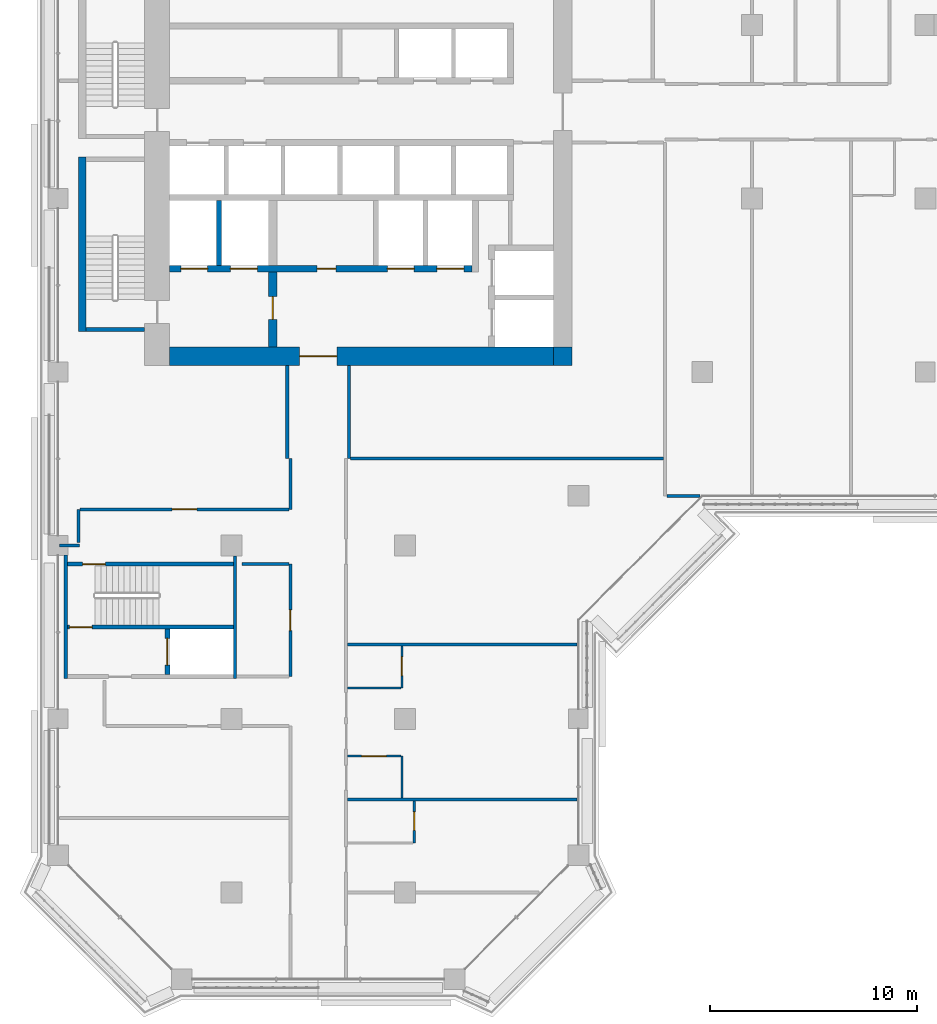
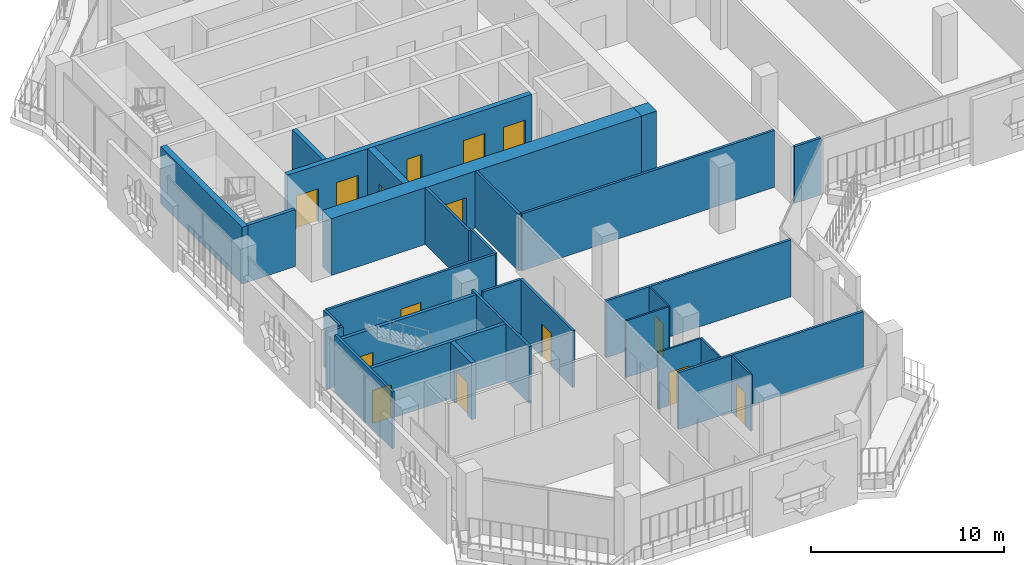
# One storey, part 10 of 22: 29 walls, 15 doors, 15 openings.
"""IFC4 building model written with IfcOpenShell, lengths in metres."""

from ifc_helpers import new_model, si_unit, direction, frame, frame_2d, origin, place, context, subcontext, project, spatial, rectangle, extrude, material, layer, layer_set, type_object, element, fill, save


model = new_model("IFC4")

# Units and contexts
model_context = context("Model", 3, precision=1e-05, world=origin(), true_north=direction((0.0, 1.0)))
body_context = subcontext(model_context, "Body", "Model", "MODEL_VIEW")
ifc_project = project(units=[si_unit("LENGTHUNIT", "METRE"), si_unit("AREAUNIT", "SQUARE_METRE"), si_unit("VOLUMEUNIT", "CUBIC_METRE"), si_unit("PLANEANGLEUNIT", "RADIAN"), si_unit("MASSUNIT", "GRAM", prefix="KILO")], contexts=[model_context])

# Site, building, storey
site_placement = place(None, origin())
site = spatial("IfcSite", under=ifc_project, at=site_placement, CompositionType="ELEMENT")
building_placement = place(site_placement, origin())
building = spatial("IfcBuilding", under=site, at=building_placement, Name="Kawkab Arch Medical Tower", CompositionType="ELEMENT")
storey_placement = place(building_placement, frame((0.0, 0.0, 187.800048828125)))
storey = spatial("IfcBuildingStorey", under=building, at=storey_placement, Name="L43", CompositionType="ELEMENT", Elevation=187.800048828125)

# Wall, opening, door
ifc_material_1 = material(Name="Concrete C55/67", Category="concrete")
ifc_layer_1 = layer(ifc_material_1, 0.89990234375)
ifc_layer_set_1 = layer_set([ifc_layer_1], Name="Concrete C55/67")
wall_type_1 = type_object("IfcWallType", Name="Core ring wall 900 C55/67", PredefinedType="SHEAR", material=ifc_layer_set_1)
wall_1_placement = place(storey_placement, frame((5.39990234375, -24.449951171875, 0.0), z_axis=(0.0, 0.0, 1.0), x_axis=(1.0, 0.0, 0.0)))
wall_1 = element("IfcWall", 1, at=wall_1_placement, inside=storey, type_object=wall_type_1, Name="L43 core wall", PredefinedType="SHEAR", context=body_context, shape_type="SweptSolid", body=[
    extrude(rectangle(XDim=18.60009765625, YDim=0.89990234375, at=frame_2d((9.300048828125, 0.0))), origin(), (0.0, 0.0, 1.0), 3.599853515625),
])
opening_1_placement = place(wall_1_placement, frame((6.300048828125, 0.0, 0.0)))
opening_1 = element("IfcOpeningElement", 2, at=opening_1_placement, cuts=wall_1, Name="Opening PD", PredefinedType="OPENING", context=body_context, shape_type="SweptSolid", body=[
    extrude(rectangle(XDim=1.800048828125, YDim=2.10009765625, at=frame_2d((0.89990234375, 1.050048828125))), frame((0.0, 0.4599609375, 0.0), z_axis=(0.0, -1.0, 0.0), x_axis=(1.0, 0.0, 0.0)), (0.0, 0.0, 1.0), 0.919921875),
])
ifc_material_2 = material(Name="Hollow metal fire door leaf")
door_type_1 = type_object("IfcDoorType", Name="Core entrance doors 1800", OperationType="DOUBLE_DOOR_SINGLE_SWING", PredefinedType="DOOR", material=ifc_material_2)
door_1_placement = place(opening_1_placement, origin())
door_1 = element("IfcDoor", 3, at=door_1_placement, inside=storey, type_object=door_type_1, Name="L43 South entrance doors", OperationType="DOUBLE_DOOR_SINGLE_SWING", OverallHeight=2.10009765625, OverallWidth=1.800048828125, PredefinedType="DOOR", context=body_context, shape_type="SweptSolid", body=[
    extrude(rectangle(XDim=1.800048828125, YDim=2.10009765625, at=frame_2d((0.89990234375, 1.050048828125))), frame((0.0, 0.02490234375, 0.0), z_axis=(0.0, -1.0, 0.0), x_axis=(1.0, 0.0, 0.0)), (0.0, 0.0, 1.0), 0.050048828125),
])
fill(opening_1, door_1)

# Walls
wall_2_placement = place(storey_placement, frame((24.449951171875, -24.89990234375, 0.0), z_axis=(0.0, 0.0, 1.0), x_axis=(0.0, 1.0, 0.0)))
element("IfcWall", 4, at=wall_2_placement, inside=storey, type_object=wall_type_1, Name="L43 core wall", PredefinedType="SHEAR", context=body_context, shape_type="SweptSolid", body=[
    extrude(rectangle(XDim=0.89990234375, YDim=0.89990234375, at=frame_2d((0.449951171875, 0.0))), origin(), (0.0, 0.0, 1.0), 3.599853515625),
])
ifc_material_3 = material(Name="Concrete C60/75", Category="concrete")
ifc_layer_2 = layer(ifc_material_3, 0.25)
ifc_layer_set_2 = layer_set([ifc_layer_2], Name="Concrete C60/75")
wall_type_2 = type_object("IfcWallType", Name="Core shear wall 250 C60/75", PredefinedType="SHEAR", material=ifc_layer_set_2)
wall_3_placement = place(storey_placement, frame((7.800048828125, -20.050048828125, 0.0), z_axis=(0.0, 0.0, 1.0), x_axis=(0.0, 1.0, 0.0)))
element("IfcWall", 5, at=wall_3_placement, inside=storey, type_object=wall_type_2, Name="L43 core shear wall", PredefinedType="SHEAR", context=body_context, shape_type="SweptSolid", body=[
    extrude(rectangle(XDim=3.150146484375, YDim=0.25, at=frame_2d((1.5751953125, 0.0))), origin(), (0.0, 0.0, 1.0), 3.599853515625),
])

# Wall, opening, door
wall_4_placement = place(storey_placement, frame((5.300048828125, -39.85009765625, 0.0), z_axis=(0.0, 0.0, 1.0), x_axis=(0.0, 1.0, 0.0)))
wall_4 = element("IfcWall", 6, at=wall_4_placement, inside=storey, type_object=wall_type_2, Name="L43 core shear wall", PredefinedType="SHEAR", context=body_context, shape_type="SweptSolid", body=[
    extrude(rectangle(XDim=2.2001953125, YDim=0.25, at=frame_2d((1.10009765625, 0.0))), origin(), (0.0, 0.0, 1.0), 3.599853515625),
])
opening_2_placement = place(wall_4_placement, frame((0.449951171875, 0.0, 0.0)))
opening_2 = element("IfcOpeningElement", 7, at=opening_2_placement, cuts=wall_4, Name="Opening LD2", PredefinedType="OPENING", context=body_context, shape_type="SweptSolid", body=[
    extrude(rectangle(XDim=1.300048828125, YDim=2.10009765625, at=frame_2d((0.64990234375, 1.050048828125))), frame((0.0, 0.135009765625, 0.0), z_axis=(0.0, -1.0, 0.0), x_axis=(1.0, 0.0, 0.0)), (0.0, 0.0, 1.0), 0.27001953125),
])
ifc_material_4 = material(Name="Stainless steel lift door leaf", Category="steel")
door_type_2 = type_object("IfcDoorType", Name="Lift landing door 1300", OperationType="DOUBLE_DOOR_SLIDING", PredefinedType="DOOR", material=ifc_material_4)
door_2_placement = place(opening_2_placement, origin())
door_2 = element("IfcDoor", 8, at=door_2_placement, inside=storey, type_object=door_type_2, Name="L43 Lift landing door SV2", OperationType="DOUBLE_DOOR_SLIDING", OverallHeight=2.10009765625, OverallWidth=1.300048828125, PredefinedType="DOOR", context=body_context, shape_type="SweptSolid", body=[
    extrude(rectangle(XDim=1.300048828125, YDim=2.10009765625, at=frame_2d((0.64990234375, 1.050048828125))), frame((0.0, 0.02490234375, 0.0), z_axis=(0.0, -1.0, 0.0), x_axis=(1.0, 0.0, 0.0)), (0.0, 0.0, 1.0), 0.050048828125),
])
fill(opening_2, door_2)

# Wall, openings, doors
ifc_material_5 = material(Name="Concrete C60/75", Category="concrete")
ifc_layer_3 = layer(ifc_material_5, 0.300048828125)
ifc_layer_set_3 = layer_set([ifc_layer_3], Name="Concrete C60/75")
wall_type_3 = type_object("IfcWallType", Name="Core shear wall 300 C60/75", PredefinedType="SHEAR", material=ifc_layer_set_3)
wall_5_placement = place(storey_placement, frame((5.39990234375, -20.199951171875, 0.0), z_axis=(0.0, 0.0, 1.0), x_axis=(1.0, 0.0, 0.0)))
wall_5 = element("IfcWall", 9, at=wall_5_placement, inside=storey, type_object=wall_type_3, Name="L43 core shear wall", PredefinedType="SHEAR", context=body_context, shape_type="SweptSolid", body=[
    extrude(rectangle(XDim=14.650146484375, YDim=0.300048828125, at=frame_2d((7.3251953125, 0.0))), origin(), (0.0, 0.0, 1.0), 3.599853515625),
])
opening_3_placement = place(wall_5_placement, frame((10.550048828125, 0.0, 0.0)))
opening_3 = element("IfcOpeningElement", 10, at=opening_3_placement, cuts=wall_5, Name="Opening LD2", PredefinedType="OPENING", context=body_context, shape_type="SweptSolid", body=[
    extrude(rectangle(XDim=1.300048828125, YDim=2.10009765625, at=frame_2d((0.64990234375, 1.050048828125))), frame((0.0, 0.159912109375, 0.0), z_axis=(0.0, -1.0, 0.0), x_axis=(1.0, 0.0, 0.0)), (0.0, 0.0, 1.0), 0.320068359375),
])
opening_4_placement = place(wall_5_placement, frame((12.949951171875, 0.0, 0.0)))
opening_4 = element("IfcOpeningElement", 11, at=opening_4_placement, cuts=wall_5, Name="Opening LD2", PredefinedType="OPENING", context=body_context, shape_type="SweptSolid", body=[
    extrude(rectangle(XDim=1.300048828125, YDim=2.10009765625, at=frame_2d((0.64990234375, 1.050048828125))), frame((0.0, 0.159912109375, 0.0), z_axis=(0.0, -1.0, 0.0), x_axis=(1.0, 0.0, 0.0)), (0.0, 0.0, 1.0), 0.320068359375),
])
opening_5_placement = place(wall_5_placement, frame((0.550048828125, 0.0, 0.0)))
opening_5 = element("IfcOpeningElement", 12, at=opening_5_placement, cuts=wall_5, Name="Opening LD2", PredefinedType="OPENING", context=body_context, shape_type="SweptSolid", body=[
    extrude(rectangle(XDim=1.300048828125, YDim=2.10009765625, at=frame_2d((0.64990234375, 1.050048828125))), frame((0.0, 0.159912109375, 0.0), z_axis=(0.0, -1.0, 0.0), x_axis=(1.0, 0.0, 0.0)), (0.0, 0.0, 1.0), 0.320068359375),
])
opening_6_placement = place(wall_5_placement, frame((2.949951171875, 0.0, 0.0)))
opening_6 = element("IfcOpeningElement", 13, at=opening_6_placement, cuts=wall_5, Name="Opening LD2", PredefinedType="OPENING", context=body_context, shape_type="SweptSolid", body=[
    extrude(rectangle(XDim=1.300048828125, YDim=2.10009765625, at=frame_2d((0.64990234375, 1.050048828125))), frame((0.0, 0.159912109375, 0.0), z_axis=(0.0, -1.0, 0.0), x_axis=(1.0, 0.0, 0.0)), (0.0, 0.0, 1.0), 0.320068359375),
])
opening_7_placement = place(wall_5_placement, frame((7.14990234375, 0.0, 0.0)))
opening_7 = element("IfcOpeningElement", 14, at=opening_7_placement, cuts=wall_5, Name="Opening RD", PredefinedType="OPENING", context=body_context, shape_type="SweptSolid", body=[
    extrude(rectangle(XDim=0.89990234375, YDim=2.10009765625, at=frame_2d((0.449951171875, 1.050048828125))), frame((0.0, 0.159912109375, 0.0), z_axis=(0.0, -1.0, 0.0), x_axis=(1.0, 0.0, 0.0)), (0.0, 0.0, 1.0), 0.320068359375),
])
ifc_material_6 = material(Name="Hollow metal fire door leaf")
door_type_3 = type_object("IfcDoorType", Name="Core room door 900", OperationType="SINGLE_SWING_LEFT", PredefinedType="DOOR", material=ifc_material_6)
door_3_placement = place(opening_7_placement, origin())
door_3 = element("IfcDoor", 15, at=door_3_placement, inside=storey, type_object=door_type_3, Name="L43 Equipment store door", OperationType="SINGLE_SWING_LEFT", OverallHeight=2.10009765625, OverallWidth=0.89990234375, PredefinedType="DOOR", context=body_context, shape_type="SweptSolid", body=[
    extrude(rectangle(XDim=0.89990234375, YDim=2.10009765625, at=frame_2d((0.449951171875, 1.050048828125))), frame((0.0, 0.02490234375, 0.0), z_axis=(0.0, -1.0, 0.0), x_axis=(1.0, 0.0, 0.0)), (0.0, 0.0, 1.0), 0.050048828125),
])
fill(opening_7, door_3)
door_4_placement = place(opening_3_placement, origin())
door_4 = element("IfcDoor", 16, at=door_4_placement, inside=storey, type_object=door_type_2, Name="L43 Lift landing door BD3", OperationType="DOUBLE_DOOR_SLIDING", OverallHeight=2.10009765625, OverallWidth=1.300048828125, PredefinedType="DOOR", context=body_context, shape_type="SweptSolid", body=[
    extrude(rectangle(XDim=1.300048828125, YDim=2.10009765625, at=frame_2d((0.64990234375, 1.050048828125))), frame((0.0, 0.02490234375, 0.0), z_axis=(0.0, -1.0, 0.0), x_axis=(1.0, 0.0, 0.0)), (0.0, 0.0, 1.0), 0.050048828125),
])
fill(opening_3, door_4)
door_5_placement = place(opening_4_placement, origin())
door_5 = element("IfcDoor", 17, at=door_5_placement, inside=storey, type_object=door_type_2, Name="L43 Lift landing door BD4", OperationType="DOUBLE_DOOR_SLIDING", OverallHeight=2.10009765625, OverallWidth=1.300048828125, PredefinedType="DOOR", context=body_context, shape_type="SweptSolid", body=[
    extrude(rectangle(XDim=1.300048828125, YDim=2.10009765625, at=frame_2d((0.64990234375, 1.050048828125))), frame((0.0, 0.02490234375, 0.0), z_axis=(0.0, -1.0, 0.0), x_axis=(1.0, 0.0, 0.0)), (0.0, 0.0, 1.0), 0.050048828125),
])
fill(opening_4, door_5)
door_6_placement = place(opening_5_placement, origin())
door_6 = element("IfcDoor", 18, at=door_6_placement, inside=storey, type_object=door_type_2, Name="L43 Lift landing door FL1", OperationType="DOUBLE_DOOR_SLIDING", OverallHeight=2.10009765625, OverallWidth=1.300048828125, PredefinedType="DOOR", context=body_context, shape_type="SweptSolid", body=[
    extrude(rectangle(XDim=1.300048828125, YDim=2.10009765625, at=frame_2d((0.64990234375, 1.050048828125))), frame((0.0, 0.02490234375, 0.0), z_axis=(0.0, -1.0, 0.0), x_axis=(1.0, 0.0, 0.0)), (0.0, 0.0, 1.0), 0.050048828125),
])
fill(opening_5, door_6)
door_7_placement = place(opening_6_placement, origin())
door_7 = element("IfcDoor", 19, at=door_7_placement, inside=storey, type_object=door_type_2, Name="L43 Lift landing door FL2", OperationType="DOUBLE_DOOR_SLIDING", OverallHeight=2.10009765625, OverallWidth=1.300048828125, PredefinedType="DOOR", context=body_context, shape_type="SweptSolid", body=[
    extrude(rectangle(XDim=1.300048828125, YDim=2.10009765625, at=frame_2d((0.64990234375, 1.050048828125))), frame((0.0, 0.02490234375, 0.0), z_axis=(0.0, -1.0, 0.0), x_axis=(1.0, 0.0, 0.0)), (0.0, 0.0, 1.0), 0.050048828125),
])
fill(opening_6, door_7)

# Wall, opening, door
ifc_material_7 = material(Name="Concrete C60/75", Category="concrete")
ifc_layer_4 = layer(ifc_material_7, 0.39990234375)
ifc_layer_set_4 = layer_set([ifc_layer_4], Name="Concrete C60/75")
wall_type_4 = type_object("IfcWallType", Name="Core shear wall 400 C60/75", PredefinedType="SHEAR", material=ifc_layer_set_4)
wall_6_placement = place(storey_placement, frame((10.39990234375, -24.0, 0.0), z_axis=(0.0, 0.0, 1.0), x_axis=(0.0, 1.0, 0.0)))
wall_6 = element("IfcWall", 20, at=wall_6_placement, inside=storey, type_object=wall_type_4, Name="L43 core shear wall", PredefinedType="SHEAR", context=body_context, shape_type="SweptSolid", body=[
    extrude(rectangle(XDim=3.64990234375, YDim=0.39990234375, at=frame_2d((1.824951171875, 0.0))), origin(), (0.0, 0.0, 1.0), 3.599853515625),
])
opening_8_placement = place(wall_6_placement, frame((1.35009765625, 0.0, 0.0)))
opening_8 = element("IfcOpeningElement", 21, at=opening_8_placement, cuts=wall_6, Name="Opening FD", PredefinedType="OPENING", context=body_context, shape_type="SweptSolid", body=[
    extrude(rectangle(XDim=1.10009765625, YDim=2.10009765625, at=frame_2d((0.550048828125, 1.050048828125))), frame((0.0, 0.2099609375, 0.0), z_axis=(0.0, -1.0, 0.0), x_axis=(1.0, 0.0, 0.0)), (0.0, 0.0, 1.0), 0.419921875),
])
ifc_material_8 = material(Name="Hollow metal fire door leaf")
door_type_4 = type_object("IfcDoorType", Name="Firefighting lobby door 1100", OperationType="SINGLE_SWING_LEFT", PredefinedType="DOOR", material=ifc_material_8)
door_8_placement = place(opening_8_placement, origin())
door_8 = element("IfcDoor", 22, at=door_8_placement, inside=storey, type_object=door_type_4, Name="L43 Firefighting lobby door", OperationType="SINGLE_SWING_LEFT", OverallHeight=2.10009765625, OverallWidth=1.10009765625, PredefinedType="DOOR", context=body_context, shape_type="SweptSolid", body=[
    extrude(rectangle(XDim=1.10009765625, YDim=2.10009765625, at=frame_2d((0.550048828125, 1.050048828125))), frame((0.0, 0.02490234375, 0.0), z_axis=(0.0, -1.0, 0.0), x_axis=(1.0, 0.0, 0.0)), (0.0, 0.0, 1.0), 0.050048828125),
])
fill(opening_8, door_8)

ifc_material_9 = material(Name="Gypsum board partition on steel studs", Category="steel")
ifc_layer_5 = layer(ifc_material_9, 0.10009765625)
ifc_layer_set_5 = layer_set([ifc_layer_5], Name="Gypsum board partition on steel studs")
wall_type_5 = type_object("IfcWallType", Name="Partition 100", PredefinedType="PARTITIONING", material=ifc_layer_set_5)
wall_7_placement = place(storey_placement, frame((14.02490234375, -43.800048828125, 0.0), z_axis=(0.0, 0.0, 1.0), x_axis=(1.0, 0.0, 0.0)))
wall_7 = element("IfcWall", 23, at=wall_7_placement, inside=storey, type_object=wall_type_5, Name="Partition 100 w002", PredefinedType="PARTITIONING", context=body_context, shape_type="SweptSolid", body=[
    extrude(rectangle(XDim=2.5751953125, YDim=0.10009765625, at=frame_2d((1.28759765625, 0.0))), origin(), (0.0, 0.0, 1.0), 3.599853515625),
])
opening_9_placement = place(wall_7_placement, frame((0.675048828125, 0.0, 0.0)))
opening_9 = element("IfcOpeningElement", 24, at=opening_9_placement, cuts=wall_7, Name="Opening W43-045", PredefinedType="OPENING", context=body_context, shape_type="SweptSolid", body=[
    extrude(rectangle(XDim=1.199951171875, YDim=2.10009765625, at=frame_2d((0.60009765625, 1.050048828125))), frame((0.0, 0.06005859375, 0.0), z_axis=(0.0, -1.0, 0.0), x_axis=(1.0, 0.0, 0.0)), (0.0, 0.0, 1.0), 0.1201171875),
])
ifc_material_10 = material(Name="Timber door leaf", Category="wood")
door_type_5 = type_object("IfcDoorType", Name="Single door 1200x2100", OperationType="NOTDEFINED", PredefinedType="DOOR", material=ifc_material_10)
door_9_placement = place(opening_9_placement, origin())
door_9 = element("IfcDoor", 25, at=door_9_placement, inside=storey, type_object=door_type_5, Name="Door W43-045", OperationType="SINGLE_SWING_LEFT", OverallHeight=2.10009765625, OverallWidth=1.199951171875, PredefinedType="DOOR", context=body_context, shape_type="SweptSolid", body=[
    extrude(rectangle(XDim=1.199951171875, YDim=2.10009765625, at=frame_2d((0.60009765625, 1.050048828125))), frame((0.0, 0.02490234375, 0.0), z_axis=(0.0, -1.0, 0.0), x_axis=(1.0, 0.0, 0.0)), (0.0, 0.0, 1.0), 0.050048828125),
])
fill(opening_9, door_9)

# Walls
wall_8_placement = place(storey_placement, frame((14.02490234375, -40.5, 0.0), z_axis=(0.0, 0.0, 1.0), x_axis=(1.0, 0.0, 0.0)))
element("IfcWall", 26, at=wall_8_placement, inside=storey, type_object=wall_type_5, Name="Partition 100 w003", PredefinedType="PARTITIONING", context=body_context, shape_type="SweptSolid", body=[
    extrude(rectangle(XDim=2.5751953125, YDim=0.10009765625, at=frame_2d((1.28759765625, 0.0))), origin(), (0.0, 0.0, 1.0), 3.599853515625),
])
wall_9_placement = place(storey_placement, frame((16.64990234375, -45.824951171875, 0.0), z_axis=(0.0, 0.0, 1.0), x_axis=(0.0, 1.0, 0.0)))
element("IfcWall", 27, at=wall_9_placement, inside=storey, type_object=wall_type_5, Name="Partition 100 w010", PredefinedType="PARTITIONING", context=body_context, shape_type="SweptSolid", body=[
    extrude(rectangle(XDim=2.02490234375, YDim=0.10009765625, at=frame_2d((1.012451171875, 0.0))), origin(), (0.0, 0.0, 1.0), 3.599853515625),
])

# Wall, opening, door
wall_10_placement = place(storey_placement, frame((16.64990234375, -40.5, 0.0), z_axis=(0.0, 0.0, 1.0), x_axis=(0.0, 1.0, 0.0)))
wall_10 = element("IfcWall", 28, at=wall_10_placement, inside=storey, type_object=wall_type_5, Name="Partition 100 w011", PredefinedType="PARTITIONING", context=body_context, shape_type="SweptSolid", body=[
    extrude(rectangle(XDim=2.02490234375, YDim=0.10009765625, at=frame_2d((1.012451171875, 0.0))), origin(), (0.0, 0.0, 1.0), 3.599853515625),
])
opening_10_placement = place(wall_10_placement, frame((0.60009765625, 0.0, 0.0)))
opening_10 = element("IfcOpeningElement", 29, at=opening_10_placement, cuts=wall_10, Name="Opening W43-007", PredefinedType="OPENING", context=body_context, shape_type="SweptSolid", body=[
    extrude(rectangle(XDim=0.89990234375, YDim=2.10009765625, at=frame_2d((0.449951171875, 1.050048828125))), frame((0.0, 0.06005859375, 0.0), z_axis=(0.0, -1.0, 0.0), x_axis=(1.0, 0.0, 0.0)), (0.0, 0.0, 1.0), 0.1201171875),
])
ifc_material_11 = material(Name="Timber door leaf", Category="wood")
door_type_6 = type_object("IfcDoorType", Name="Single door 900x2100", OperationType="NOTDEFINED", PredefinedType="DOOR", material=ifc_material_11)
door_10_placement = place(opening_10_placement, origin())
door_10 = element("IfcDoor", 30, at=door_10_placement, inside=storey, type_object=door_type_6, Name="Door W43-007", OperationType="SINGLE_SWING_LEFT", OverallHeight=2.10009765625, OverallWidth=0.89990234375, PredefinedType="DOOR", context=body_context, shape_type="SweptSolid", body=[
    extrude(rectangle(XDim=0.89990234375, YDim=2.10009765625, at=frame_2d((0.449951171875, 1.050048828125))), frame((0.0, 0.02490234375, 0.0), z_axis=(0.0, -1.0, 0.0), x_axis=(1.0, 0.0, 0.0)), (0.0, 0.0, 1.0), 0.050048828125),
])
fill(opening_10, door_10)

wall_11_placement = place(storey_placement, frame((17.25, -48.0, 0.0), z_axis=(0.0, 0.0, 1.0), x_axis=(0.0, 1.0, 0.0)))
wall_11 = element("IfcWall", 31, at=wall_11_placement, inside=storey, type_object=wall_type_5, Name="Partition 100 w012", PredefinedType="PARTITIONING", context=body_context, shape_type="SweptSolid", body=[
    extrude(rectangle(XDim=2.02490234375, YDim=0.10009765625, at=frame_2d((1.012451171875, 0.0))), origin(), (0.0, 0.0, 1.0), 3.599853515625),
])
opening_11_placement = place(wall_11_placement, frame((0.60009765625, 0.0, 0.0)))
opening_11 = element("IfcOpeningElement", 32, at=opening_11_placement, cuts=wall_11, Name="Opening W43-008", PredefinedType="OPENING", context=body_context, shape_type="SweptSolid", body=[
    extrude(rectangle(XDim=0.89990234375, YDim=2.10009765625, at=frame_2d((0.449951171875, 1.050048828125))), frame((0.0, 0.06005859375, 0.0), z_axis=(0.0, -1.0, 0.0), x_axis=(1.0, 0.0, 0.0)), (0.0, 0.0, 1.0), 0.1201171875),
])
door_11_placement = place(opening_11_placement, origin())
door_11 = element("IfcDoor", 33, at=door_11_placement, inside=storey, type_object=door_type_6, Name="Door W43-008", OperationType="SINGLE_SWING_LEFT", OverallHeight=2.10009765625, OverallWidth=0.89990234375, PredefinedType="DOOR", context=body_context, shape_type="SweptSolid", body=[
    extrude(rectangle(XDim=0.89990234375, YDim=2.10009765625, at=frame_2d((0.449951171875, 1.050048828125))), frame((0.0, 0.02490234375, 0.0), z_axis=(0.0, -1.0, 0.0), x_axis=(1.0, 0.0, 0.0)), (0.0, 0.0, 1.0), 0.050048828125),
])
fill(opening_11, door_11)

# Walls
ifc_material_12 = material(Name="Gypsum board partition on steel studs, mineral wool", Category="steel")
ifc_layer_6 = layer(ifc_material_12, 0.14990234375)
ifc_layer_set_6 = layer_set([ifc_layer_6], Name="Gypsum board partition on steel studs, mineral wool")
wall_type_6 = type_object("IfcWallType", Name="Partition 150", PredefinedType="PARTITIONING", material=ifc_layer_set_6)
for number, where, z_axis, x_axis, name in (
    (34, (14.02490234375, -45.89990234375, 0.0), (0.0, 0.0, 1.0), (1.0, 0.0, 0.0), "Partition 150 w023"),
    (35, (14.02490234375, -38.39990234375, 0.0), (0.0, 0.0, 1.0), (1.0, 0.0, 0.0), "Partition 150 w026"),
):
    element("IfcWall", number, at=place(storey_placement, frame(where, z_axis=z_axis, x_axis=x_axis)), inside=storey, type_object=wall_type_6, Name=name, PredefinedType="PARTITIONING", context=body_context, shape_type="SweptSolid", body=[
        extrude(rectangle(XDim=11.09521484375, YDim=0.14990234375, at=frame_2d((5.547607421875, 0.0))), origin(), (0.0, 0.0, 1.0), 3.599853515625),
    ])
wall_12_placement = place(storey_placement, frame((8.89990234375, -34.5, 0.0), z_axis=(0.0, 0.0, 1.0), x_axis=(1.0, 0.0, 0.0)))
element("IfcWall", 36, at=wall_12_placement, inside=storey, type_object=wall_type_6, Name="Partition 150 w027", PredefinedType="PARTITIONING", context=body_context, shape_type="SweptSolid", body=[
    extrude(rectangle(XDim=2.275146484375, YDim=0.14990234375, at=frame_2d((1.1376953125, 0.0))), origin(), (0.0, 0.0, 1.0), 3.599853515625),
])
wall_13_placement = place(storey_placement, frame((0.080078125, -33.60009765625, 0.0), z_axis=(0.0, 0.0, 1.0), x_axis=(1.0, 0.0, 0.0)))
element("IfcWall", 37, at=wall_13_placement, inside=storey, type_object=wall_type_6, Name="Partition 150 w028", PredefinedType="PARTITIONING", context=body_context, shape_type="SweptSolid", body=[
    extrude(rectangle(XDim=0.969970703125, YDim=0.14990234375, at=frame_2d((0.48486328125, 0.0))), origin(), (0.0, 0.0, 1.0), 3.599853515625),
])

# Wall, opening, door
wall_14_placement = place(storey_placement, frame((1.076904296875, -31.85693359375, 0.0), z_axis=(0.0, 0.0, 1.0), x_axis=(1.0, 0.0, 0.0)))
wall_14 = element("IfcWall", 38, at=wall_14_placement, inside=storey, type_object=wall_type_6, Name="Partition 150 w029", PredefinedType="PARTITIONING", context=body_context, shape_type="SweptSolid", body=[
    extrude(rectangle(XDim=10.09814453125, YDim=0.14990234375, at=frame_2d((5.049072265625, 0.0))), origin(), (0.0, 0.0, 1.0), 3.599853515625),
])
opening_12_placement = place(wall_14_placement, frame((4.448974609375, 0.0, 0.0)))
opening_12 = element("IfcOpeningElement", 39, at=opening_12_placement, cuts=wall_14, Name="Opening W43-040", PredefinedType="OPENING", context=body_context, shape_type="SweptSolid", body=[
    extrude(rectangle(XDim=1.199951171875, YDim=2.10009765625, at=frame_2d((0.60009765625, 1.050048828125))), frame((0.0, 0.0849609375, 0.0), z_axis=(0.0, -1.0, 0.0), x_axis=(1.0, 0.0, 0.0)), (0.0, 0.0, 1.0), 0.169921875),
])
ifc_material_13 = material(Name="Hollow metal door leaf")
door_type_7 = type_object("IfcDoorType", Name="Single door 1200x2100 FD30S", OperationType="NOTDEFINED", PredefinedType="DOOR", material=ifc_material_13)
door_12_placement = place(opening_12_placement, origin())
door_12 = element("IfcDoor", 40, at=door_12_placement, inside=storey, type_object=door_type_7, Name="Door W43-040", OperationType="SINGLE_SWING_LEFT", OverallHeight=2.10009765625, OverallWidth=1.199951171875, PredefinedType="DOOR", context=body_context, shape_type="SweptSolid", body=[
    extrude(rectangle(XDim=1.199951171875, YDim=2.10009765625, at=frame_2d((0.60009765625, 1.050048828125))), frame((0.0, 0.02490234375, 0.0), z_axis=(0.0, -1.0, 0.0), x_axis=(1.0, 0.0, 0.0)), (0.0, 0.0, 1.0), 0.050048828125),
])
fill(opening_12, door_12)

# Walls
wall_15_placement = place(storey_placement, frame((29.47705078125, -31.199951171875, 0.0), z_axis=(0.0, 0.0, 1.0), x_axis=(1.0, 0.0, 0.0)))
element("IfcWall", 41, at=wall_15_placement, inside=storey, type_object=wall_type_6, Name="Partition 150 w030", PredefinedType="PARTITIONING", context=body_context, shape_type="SweptSolid", body=[
    extrude(rectangle(XDim=1.60986328125, YDim=0.14990234375, at=frame_2d((0.804931640625, 0.0))), origin(), (0.0, 0.0, 1.0), 3.599853515625),
])
wall_16_placement = place(storey_placement, frame((14.175048828125, -29.39990234375, 0.0), z_axis=(0.0, 0.0, 1.0), x_axis=(1.0, 0.0, 0.0)))
element("IfcWall", 42, at=wall_16_placement, inside=storey, type_object=wall_type_6, Name="Partition 150 w031", PredefinedType="PARTITIONING", context=body_context, shape_type="SweptSolid", body=[
    extrude(rectangle(XDim=15.14990234375, YDim=0.14990234375, at=frame_2d((7.574951171875, 0.0))), origin(), (0.0, 0.0, 1.0), 3.599853515625),
])
wall_17_placement = place(storey_placement, frame((1.0, -33.465087890625, 0.0), z_axis=(0.0, 0.0, 1.0), x_axis=(0.0, 1.0, 0.0)))
element("IfcWall", 43, at=wall_17_placement, inside=storey, type_object=wall_type_6, Name="Partition 150 w043", PredefinedType="PARTITIONING", context=body_context, shape_type="SweptSolid", body=[
    extrude(rectangle(XDim=1.60498046875, YDim=0.14990234375, at=frame_2d((0.802490234375, 0.0))), origin(), (0.0, 0.0, 1.0), 3.599853515625),
])
wall_18_placement = place(storey_placement, frame((11.10009765625, -29.39697265625, 0.0), z_axis=(0.0, 0.0, 1.0), x_axis=(0.0, 1.0, 0.0)))
element("IfcWall", 44, at=wall_18_placement, inside=storey, type_object=wall_type_6, Name="Partition 150 w045", PredefinedType="PARTITIONING", context=body_context, shape_type="SweptSolid", body=[
    extrude(rectangle(XDim=4.4970703125, YDim=0.14990234375, at=frame_2d((2.24853515625, 0.0))), origin(), (0.0, 0.0, 1.0), 3.599853515625),
])

# Wall, opening, door
wall_19_placement = place(storey_placement, frame((11.25, -39.949951171875, 0.0), z_axis=(0.0, 0.0, 1.0), x_axis=(0.0, 1.0, 0.0)))
wall_19 = element("IfcWall", 45, at=wall_19_placement, inside=storey, type_object=wall_type_6, Name="Partition 150 w047", PredefinedType="PARTITIONING", context=body_context, shape_type="SweptSolid", body=[
    extrude(rectangle(XDim=5.449951171875, YDim=0.14990234375, at=frame_2d((2.72509765625, 0.0))), origin(), (0.0, 0.0, 1.0), 3.599853515625),
])
opening_13_placement = place(wall_19_placement, frame((2.22509765625, 0.0, 0.0)))
opening_13 = element("IfcOpeningElement", 46, at=opening_13_placement, cuts=wall_19, Name="Opening W43-018", PredefinedType="OPENING", context=body_context, shape_type="SweptSolid", body=[
    extrude(rectangle(XDim=1.0, YDim=2.10009765625, at=frame_2d((0.5, 1.050048828125))), frame((0.0, 0.0849609375, 0.0), z_axis=(0.0, -1.0, 0.0), x_axis=(1.0, 0.0, 0.0)), (0.0, 0.0, 1.0), 0.169921875),
])
ifc_material_14 = material(Name="Hollow metal door leaf")
door_type_8 = type_object("IfcDoorType", Name="Single door 1000x2100 FD30S", OperationType="NOTDEFINED", PredefinedType="DOOR", material=ifc_material_14)
door_13_placement = place(opening_13_placement, origin())
door_13 = element("IfcDoor", 47, at=door_13_placement, inside=storey, type_object=door_type_8, Name="Door W43-018", OperationType="SINGLE_SWING_RIGHT", OverallHeight=2.10009765625, OverallWidth=1.0, PredefinedType="DOOR", context=body_context, shape_type="SweptSolid", body=[
    extrude(rectangle(XDim=1.0, YDim=2.10009765625, at=frame_2d((0.5, 1.050048828125))), frame((0.0, 0.02490234375, 0.0), z_axis=(0.0, -1.0, 0.0), x_axis=(1.0, 0.0, 0.0)), (0.0, 0.0, 1.0), 0.050048828125),
])
fill(opening_13, door_13)

# Walls
wall_20_placement = place(storey_placement, frame((11.25, -31.85693359375, 0.0), z_axis=(0.0, 0.0, 1.0), x_axis=(0.0, 1.0, 0.0)))
element("IfcWall", 48, at=wall_20_placement, inside=storey, type_object=wall_type_6, Name="Partition 150 w048", PredefinedType="PARTITIONING", context=body_context, shape_type="SweptSolid", body=[
    extrude(rectangle(XDim=2.45703125, YDim=0.14990234375, at=frame_2d((1.228515625, 0.0))), origin(), (0.0, 0.0, 1.0), 3.599853515625),
])
wall_21_placement = place(storey_placement, frame((14.10009765625, -29.39990234375, 0.0), z_axis=(0.0, 0.0, 1.0), x_axis=(0.0, 1.0, 0.0)))
element("IfcWall", 49, at=wall_21_placement, inside=storey, type_object=wall_type_6, Name="Partition 150 w050", PredefinedType="PARTITIONING", context=body_context, shape_type="SweptSolid", body=[
    extrude(rectangle(XDim=4.5, YDim=0.14990234375, at=frame_2d((2.25, 0.0))), origin(), (0.0, 0.0, 1.0), 3.599853515625),
])
ifc_material_15 = material(Name="Concrete C50/60", Category="concrete")
ifc_layer_7 = layer(ifc_material_15, 0.14990234375)
ifc_layer_set_7 = layer_set([ifc_layer_7], Name="Concrete C50/60")
wall_type_7 = type_object("IfcWallType", Name="Stair enclosure wall 150 C50/60", PredefinedType="SHEAR", material=ifc_layer_set_7)
wall_22_placement = place(storey_placement, frame((0.375, -40.050048828125, 0.0), z_axis=(0.0, 0.0, 1.0), x_axis=(0.0, 1.0, 0.0)))
element("IfcWall", 50, at=wall_22_placement, inside=storey, type_object=wall_type_7, Name="L43 stair enclosure wall", PredefinedType="SHEAR", context=body_context, shape_type="SweptSolid", body=[
    extrude(rectangle(XDim=5.97509765625, YDim=0.14990234375, at=frame_2d((2.987548828125, 0.0))), origin(), (0.0, 0.0, 1.0), 3.599853515625),
])
wall_23_placement = place(storey_placement, frame((8.574951171875, -40.050048828125, 0.0), z_axis=(0.0, 0.0, 1.0), x_axis=(0.0, 1.0, 0.0)))
element("IfcWall", 51, at=wall_23_placement, inside=storey, type_object=wall_type_7, Name="L43 stair enclosure wall", PredefinedType="SHEAR", context=body_context, shape_type="SweptSolid", body=[
    extrude(rectangle(XDim=5.949951171875, YDim=0.14990234375, at=frame_2d((2.97509765625, 0.0))), origin(), (0.0, 0.0, 1.0), 3.599853515625),
])
ifc_material_16 = material(Name="Concrete C50/60", Category="concrete")
ifc_layer_8 = layer(ifc_material_16, 0.199951171875)
ifc_layer_set_8 = layer_set([ifc_layer_8], Name="Concrete C50/60")
wall_type_8 = type_object("IfcWallType", Name="Stair enclosure wall 200 C50/60", PredefinedType="SHEAR", material=ifc_layer_set_8)
wall_24_placement = place(storey_placement, frame((1.35009765625, -23.14990234375, 0.0), z_axis=(0.0, 0.0, 1.0), x_axis=(1.0, 0.0, 0.0)))
element("IfcWall", 52, at=wall_24_placement, inside=storey, type_object=wall_type_8, Name="L43 stair enclosure wall", PredefinedType="SHEAR", context=body_context, shape_type="SweptSolid", body=[
    extrude(rectangle(XDim=2.849853515625, YDim=0.199951171875, at=frame_2d((1.4248046875, 0.0))), origin(), (0.0, 0.0, 1.0), 3.599853515625),
])

# Wall, opening, door
wall_25_placement = place(storey_placement, frame((0.449951171875, -34.5, 0.0), z_axis=(0.0, 0.0, 1.0), x_axis=(1.0, 0.0, 0.0)))
wall_25 = element("IfcWall", 53, at=wall_25_placement, inside=storey, type_object=wall_type_8, Name="L43 stair enclosure wall", PredefinedType="SHEAR", context=body_context, shape_type="SweptSolid", body=[
    extrude(rectangle(XDim=8.050048828125, YDim=0.199951171875, at=frame_2d((4.02490234375, 0.0))), origin(), (0.0, 0.0, 1.0), 3.599853515625),
])
opening_14_placement = place(wall_25_placement, frame((0.75, 0.0, 0.0)))
opening_14 = element("IfcOpeningElement", 54, at=opening_14_placement, cuts=wall_25, Name="Opening SD", PredefinedType="OPENING", context=body_context, shape_type="SweptSolid", body=[
    extrude(rectangle(XDim=1.10009765625, YDim=2.10009765625, at=frame_2d((0.550048828125, 1.050048828125))), frame((0.0, 0.10986328125, 0.0), z_axis=(0.0, -1.0, 0.0), x_axis=(1.0, 0.0, 0.0)), (0.0, 0.0, 1.0), 0.219970703125),
])
ifc_material_17 = material(Name="Hollow metal fire door leaf")
door_type_9 = type_object("IfcDoorType", Name="Exit stair door 1100", OperationType="SINGLE_SWING_LEFT", PredefinedType="DOOR", material=ifc_material_17)
door_14_placement = place(opening_14_placement, origin())
door_14 = element("IfcDoor", 55, at=door_14_placement, inside=storey, type_object=door_type_9, Name="L43 Exit stair ST6 door", OperationType="SINGLE_SWING_LEFT", OverallHeight=2.10009765625, OverallWidth=1.10009765625, PredefinedType="DOOR", context=body_context, shape_type="SweptSolid", body=[
    extrude(rectangle(XDim=1.10009765625, YDim=2.10009765625, at=frame_2d((0.550048828125, 1.050048828125))), frame((0.0, 0.02490234375, 0.0), z_axis=(0.0, -1.0, 0.0), x_axis=(1.0, 0.0, 0.0)), (0.0, 0.0, 1.0), 0.050048828125),
])
fill(opening_14, door_14)

wall_26_placement = place(storey_placement, frame((0.449951171875, -37.550048828125, 0.0), z_axis=(0.0, 0.0, 1.0), x_axis=(1.0, 0.0, 0.0)))
wall_26 = element("IfcWall", 56, at=wall_26_placement, inside=storey, type_object=wall_type_8, Name="L43 stair enclosure wall", PredefinedType="SHEAR", context=body_context, shape_type="SweptSolid", body=[
    extrude(rectangle(XDim=8.050048828125, YDim=0.199951171875, at=frame_2d((4.02490234375, 0.0))), origin(), (0.0, 0.0, 1.0), 3.599853515625),
])
opening_15_placement = place(wall_26_placement, frame((0.10009765625, 0.0, 0.0)))
opening_15 = element("IfcOpeningElement", 57, at=opening_15_placement, cuts=wall_26, Name="Opening SD", PredefinedType="OPENING", context=body_context, shape_type="SweptSolid", body=[
    extrude(rectangle(XDim=1.10009765625, YDim=2.10009765625, at=frame_2d((0.550048828125, 1.050048828125))), frame((0.0, 0.10986328125, 0.0), z_axis=(0.0, -1.0, 0.0), x_axis=(1.0, 0.0, 0.0)), (0.0, 0.0, 1.0), 0.219970703125),
])
door_15_placement = place(opening_15_placement, frame((1.10009765625, 0.0, 0.0), z_axis=(0.0, 0.0, 1.0), x_axis=(-1.0, 0.0, 0.0)))
door_15 = element("IfcDoor", 58, at=door_15_placement, inside=storey, type_object=door_type_9, Name="L43 Exit stair ST6 lobby door", OperationType="SINGLE_SWING_LEFT", OverallHeight=2.10009765625, OverallWidth=1.10009765625, PredefinedType="DOOR", context=body_context, shape_type="SweptSolid", body=[
    extrude(rectangle(XDim=1.10009765625, YDim=2.10009765625, at=frame_2d((0.550048828125, 1.050048828125))), frame((0.0, 0.02490234375, 0.0), z_axis=(0.0, -1.0, 0.0), x_axis=(1.0, 0.0, 0.0)), (0.0, 0.0, 1.0), 0.050048828125),
])
fill(opening_15, door_15)

# Wall
ifc_material_18 = material(Name="Concrete C50/60", Category="concrete")
ifc_layer_9 = layer(ifc_material_18, 0.35009765625)
ifc_layer_set_9 = layer_set([ifc_layer_9], Name="Concrete C50/60")
wall_type_9 = type_object("IfcWallType", Name="Stair enclosure wall 350 C50/60", PredefinedType="SHEAR", material=ifc_layer_set_9)
wall_27_placement = place(storey_placement, frame((1.175048828125, -23.25, 0.0), z_axis=(0.0, 0.0, 1.0), x_axis=(0.0, 1.0, 0.0)))
element("IfcWall", 59, at=wall_27_placement, inside=storey, type_object=wall_type_9, Name="L43 stair enclosure wall", PredefinedType="SHEAR", context=body_context, shape_type="SweptSolid", body=[
    extrude(rectangle(XDim=8.449951171875, YDim=0.35009765625, at=frame_2d((4.22509765625, 0.0))), origin(), (0.0, 0.0, 1.0), 3.599853515625),
])

save(model, "model.ifc")
